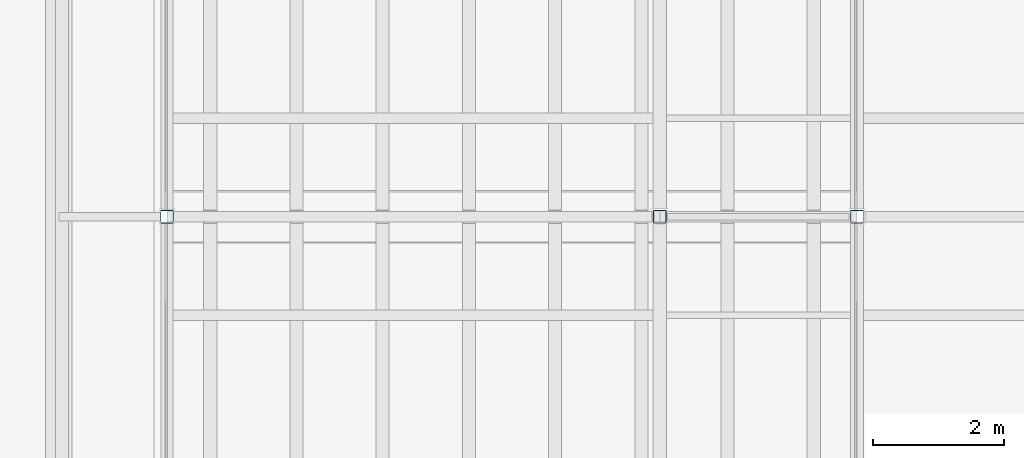
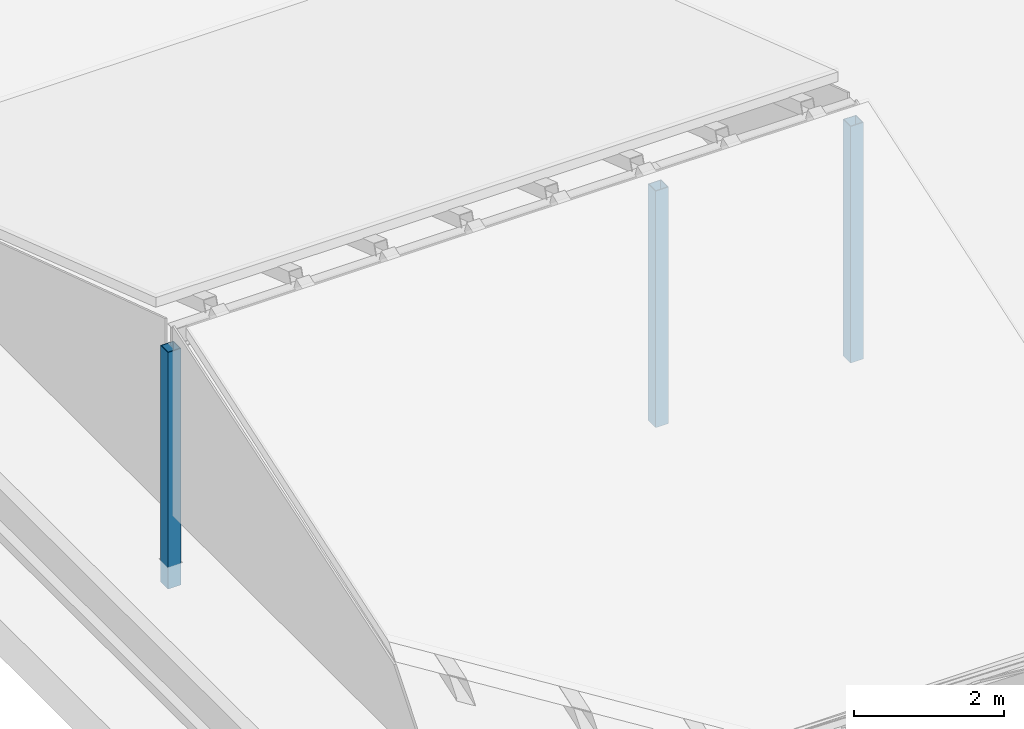
# One storey, part 3 of 121: 3 columns.
"""IFC4 building model written with IfcOpenShell, lengths in metres."""

import ifcopenshell
import ifcopenshell.guid

model = None  # the IFC model being written
_history = None  # IfcOwnerHistory: only IFC2X3 demands one
_inside = {}  # id of a spatial element -> (the spatial element, [elements in it])
_under = {}  # id of a project, library or spatial element -> (it, [spatial elements below it])
_declared = {}  # id of a project -> (the project, [libraries it declares])
_typed = {}  # id of a type object -> (the type object, [elements of that type])
_made_of = {}  # id of a material, layer set ... -> (it, [elements and type objects made of it])


def new_model(schema):
    """Start an empty IFC model of exactly this schema.

    Asked for "IFC4X3", IfcOpenShell would pick the latest addendum, in which some entities
    have other attributes; the version numbers below select the first issue.
    IFC2X3 requires an IfcOwnerHistory on every rooted entity: one is made here for all.
    """
    global model, _history
    if schema == "IFC4X3":
        model = ifcopenshell.file(schema_version=(4, 3, 0, 0))
    else:
        model = ifcopenshell.file(schema=schema)
    _inside.clear()
    _under.clear()
    _declared.clear()
    _typed.clear()
    _made_of.clear()
    _history = None
    if model.schema == "IFC2X3":
        org = make("IfcOrganization", Name="unknown")
        user = make(
            "IfcPersonAndOrganization",
            ThePerson=make("IfcPerson", FamilyName="unknown"),
            TheOrganization=org,
        )
        app = make(
            "IfcApplication",
            ApplicationDeveloper=org,
            Version="unknown",
            ApplicationFullName="unknown",
            ApplicationIdentifier="unknown",
        )
        _history = make(
            "IfcOwnerHistory",
            OwningUser=user,
            OwningApplication=app,
            ChangeAction="ADDED",
            CreationDate=0,
        )
    return model


def make(cls, **values):
    """One entity of the class cls with the attributes given. An attribute that is None is left unset."""
    return model.create_entity(
        cls, **{name: value for name, value in values.items() if value is not None}
    )


def rooted(cls, **values):
    """An entity with a GlobalId (a new one), such as an element, a storey or a relation."""
    return make(cls, GlobalId=ifcopenshell.guid.new(), OwnerHistory=_history, **values)


def si_unit(unit_type, name, prefix=None):
    """IfcSIUnit, for example si_unit("LENGTHUNIT", "METRE", prefix="MILLI")."""
    return make("IfcSIUnit", UnitType=unit_type, Prefix=prefix, Name=name)


def assignment(units):
    """IfcUnitAssignment: the units of a project."""
    return None if units is None else make("IfcUnitAssignment", Units=units)


def point(xyz):
    """IfcCartesianPoint."""
    return None if xyz is None else make("IfcCartesianPoint", Coordinates=xyz)


def direction(xyz):
    """IfcDirection."""
    return None if xyz is None else make("IfcDirection", DirectionRatios=xyz)


def frame(location, z_axis=None, x_axis=None):
    """IfcAxis2Placement3D, a coordinate frame: its origin and axes. An axis left out is left unset."""
    return make(
        "IfcAxis2Placement3D",
        Location=point(location),
        Axis=direction(z_axis),
        RefDirection=direction(x_axis),
    )


def frame_2d(location, x_axis=None):
    """IfcAxis2Placement2D, a coordinate frame in the plane: its origin and x axis."""
    return make(
        "IfcAxis2Placement2D", Location=point(location), RefDirection=direction(x_axis)
    )


def origin():
    """The frame at (0, 0, 0) with its axes left unset."""
    return frame((0.0, 0.0, 0.0))


def origin_2d():
    """The frame at (0, 0) in the plane with its x axis left unset."""
    return frame_2d((0.0, 0.0))


def place(relative_to, where):
    """IfcLocalPlacement: puts the frame where relative to a parent placement (None: the world)."""
    return make(
        "IfcLocalPlacement", PlacementRelTo=relative_to, RelativePlacement=where
    )


def context(
    kind, dimensions, precision=None, world=None, true_north=None, identifier=None
):
    """IfcGeometricRepresentationContext, for example the 3D "Model" context."""
    return make(
        "IfcGeometricRepresentationContext",
        ContextIdentifier=identifier,
        ContextType=kind,
        CoordinateSpaceDimension=dimensions,
        Precision=precision,
        WorldCoordinateSystem=world,
        TrueNorth=true_north,
    )


def subcontext(parent, identifier, kind, view, scale=None):
    """IfcGeometricRepresentationSubContext, for example "Body" below "Model"."""
    return make(
        "IfcGeometricRepresentationSubContext",
        ContextIdentifier=identifier,
        ContextType=kind,
        ParentContext=parent,
        TargetScale=scale,
        TargetView=view,
    )


def project(units=None, contexts=None):
    """IfcProject with its units and contexts."""
    return rooted(
        "IfcProject",
        Name="project",
        RepresentationContexts=contexts,
        UnitsInContext=assignment(units),
    )


def spatial(cls, under=None, at=None, **own):
    """A site, building, storey or space (cls), placed at a placement, below another one or the project."""
    s = rooted(cls, ObjectPlacement=at, **own)
    if under is not None:
        _under.setdefault(under.id(), (under, []))[1].append(s)
    return s


def profile(cls, at=None, kind="AREA", **sizes):
    """A parametric profile (cls). Its sizes go by their IFC names, for example OverallWidth=200.0."""
    return make(cls, ProfileType=kind, Position=at, **sizes)


def hollow_rectangle(**sizes):
    """IfcRectangleHollowProfileDef."""
    return profile("IfcRectangleHollowProfileDef", **sizes)


def extrude(swept, where, along, depth):
    """IfcExtrudedAreaSolid: the profile swept, set in the frame where, extruded along a direction by depth."""
    return make(
        "IfcExtrudedAreaSolid",
        SweptArea=swept,
        Position=where,
        ExtrudedDirection=direction(along),
        Depth=depth,
    )


def shape(context_of_items, identifier, shape_type, items):
    """IfcShapeRepresentation: the items that make up one representation, for example the "Body"."""
    return make(
        "IfcShapeRepresentation",
        ContextOfItems=context_of_items,
        RepresentationIdentifier=identifier,
        RepresentationType=shape_type,
        Items=items,
    )


def material(Name=None, Category=None):
    """IfcMaterial."""
    return make("IfcMaterial", Name=Name, Category=Category)


def material_profile(
    of_material, cross_section, Name=None, Category=None, Priority=None
):
    """IfcMaterialProfile: a cross section and its material."""
    return make(
        "IfcMaterialProfile",
        Name=Name,
        Material=of_material,
        Profile=cross_section,
        Priority=Priority,
        Category=Category,
    )


def profile_set(profiles, Name=None, composite=None):
    """IfcMaterialProfileSet."""
    return make(
        "IfcMaterialProfileSet",
        Name=Name,
        MaterialProfiles=profiles,
        CompositeProfile=composite,
    )


def made_of(thing, what):
    """Note that an element or type object is made of a material, layer set ...; save() writes the relation."""
    if what is not None:
        _made_of.setdefault(what.id(), (what, []))[1].append(thing)
    return thing


def type_object(cls, material=None, **own):
    """A type object (cls), such as IfcWallType, which elements share."""
    return made_of(rooted(cls, **own), material)


def element(
    cls,
    number,
    at=None,
    inside=None,
    cuts=None,
    type_object=None,
    material=None,
    context=None,
    identifier="Body",
    shape_type=None,
    held_by="IfcProductDefinitionShape",
    body=None,
    shapes=None,
    **own,
):
    """One element of the class cls, such as IfcWall. Its Tag is "e" and its number.

    at: its placement. inside: the storey or other place that contains it. cuts: it is an
    opening in that element (IfcRelVoidsElement). A single representation is given by context,
    identifier, shape_type and body (its items); several are given by shapes. held_by: the class
    of the entity that holds the representations. save() writes the other relations.
    """
    e = rooted(cls, Tag="e%d" % number, ObjectPlacement=at, **own)
    if body is not None:
        shapes = [shape(context, identifier, shape_type, body)]
    if shapes is not None:
        e.Representation = make(held_by, Representations=shapes)
    if inside is not None:
        _inside.setdefault(inside.id(), (inside, []))[1].append(e)
    if cuts is not None:
        rooted(
            "IfcRelVoidsElement", RelatingBuildingElement=cuts, RelatedOpeningElement=e
        )
    if type_object is not None:
        _typed.setdefault(type_object.id(), (type_object, []))[1].append(e)
    return made_of(e, material)


def aggregate(whole, parts):
    """IfcRelAggregates: a whole, such as a stair, and the parts it consists of."""
    return rooted("IfcRelAggregates", RelatingObject=whole, RelatedObjects=parts)


def save(model, path):
    """Write the relations noted so far, then the file.

    IfcRelAggregates (storeys below a building ...), IfcRelContainedInSpatialStructure (elements
    in a storey), IfcRelDefinesByType, IfcRelAssociatesMaterial and IfcRelDeclares: one each for
    every whole, place, type object, material and project.
    """
    for whole, parts in _under.values():
        aggregate(whole, parts)
    for where, things in _inside.values():
        rooted(
            "IfcRelContainedInSpatialStructure",
            RelatedElements=things,
            RelatingStructure=where,
        )
    for kind, things in _typed.values():
        rooted("IfcRelDefinesByType", RelatedObjects=things, RelatingType=kind)
    for what, things in _made_of.values():
        rooted("IfcRelAssociatesMaterial", RelatedObjects=things, RelatingMaterial=what)
    for by, libraries in _declared.values():
        rooted("IfcRelDeclares", RelatingContext=by, RelatedDefinitions=libraries)
    model.write(path)


model = new_model("IFC4")

# Units and contexts
model_context = context("Model", 3, precision=1e-05, world=origin(), true_north=direction((0.0, 1.0)))
body_context = subcontext(model_context, "Body", "Model", "MODEL_VIEW")
ifc_project = project(units=[si_unit("LENGTHUNIT", "METRE"), si_unit("AREAUNIT", "SQUARE_METRE"), si_unit("VOLUMEUNIT", "CUBIC_METRE"), si_unit("PLANEANGLEUNIT", "RADIAN"), si_unit("MASSUNIT", "GRAM", prefix="KILO")], contexts=[model_context])

# Site, building, storey
site_placement = place(None, origin())
site = spatial("IfcSite", under=ifc_project, at=site_placement, CompositionType="ELEMENT")
building_placement = place(site_placement, origin())
building = spatial("IfcBuilding", under=site, at=building_placement, Name="Golden Quay Civic Hall", CompositionType="ELEMENT")
storey_placement = place(building_placement, frame((0.0, 0.0, 18.60009765625)))
storey = spatial("IfcBuildingStorey", under=building, at=storey_placement, Name="L04", CompositionType="ELEMENT", Elevation=18.60009765625)

# Columns
ifc_material = material(Name="Steel S355", Category="steel")
ifc_material_profile = material_profile(ifc_material, hollow_rectangle(XDim=0.199951171875, YDim=0.199951171875, WallThickness=0.010009765625, at=origin_2d()), Name="SHS 200x200x10")
ifc_profile_set = profile_set([ifc_material_profile], Name="Steel S355")
column_type = type_object("IfcColumnType", Name="Steel roof post SHS 200x200x10", PredefinedType="COLUMN", material=ifc_profile_set)
for number, where, z_axis, x_axis, name in (
    (1, (54.0, 27.0, -0.25), (0.0, 0.0, 1.0), (1.0, 0.0, 0.0), "Roof post 54/27"),
    (2, (61.5, 27.0, -0.25), (0.0, 0.0, 1.0), (1.0, 0.0, 0.0), "Roof post 61.5/27"),
    (3, (64.5, 27.0, -0.25), (0.0, 0.0, 1.0), (1.0, 0.0, 0.0), "Roof post 64.5/27"),
):
    element("IfcColumn", number, at=place(storey_placement, frame(where, z_axis=z_axis, x_axis=x_axis)), inside=storey, type_object=column_type, Name=name, PredefinedType="COLUMN", context=body_context, shape_type="SweptSolid", body=[
        extrude(hollow_rectangle(XDim=0.199951171875, YDim=0.199951171875, WallThickness=0.010009765625, at=origin_2d()), origin(), (0.0, 0.0, 1.0), 3.849853515625),
    ])

save(model, "model.ifc")
